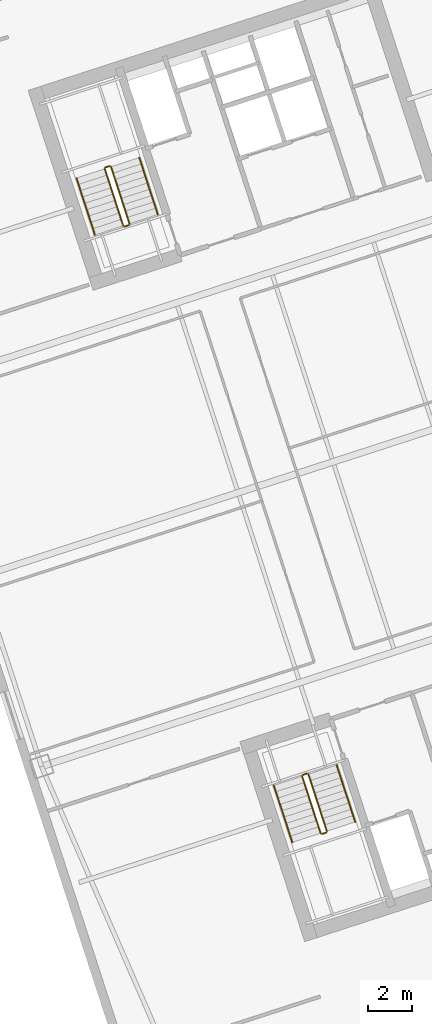
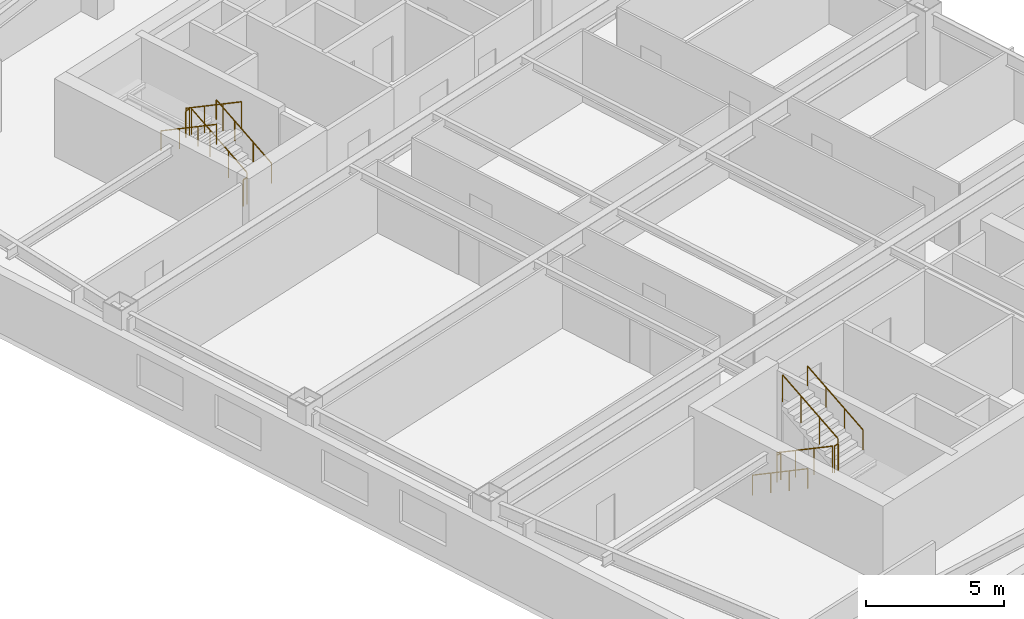
# One storey, part 10 of 10: 12 railings.
"""IFC4 building model written with IfcOpenShell, lengths in metres."""

from ifc_helpers import new_model, si_unit, direction, frame, origin, origin_2d, place, context, subcontext, project, spatial, circle, extrude, material, type_object, element, save


model = new_model("IFC4")

# Units and contexts
model_context = context("Model", 3, precision=1e-05, world=origin(), true_north=direction((0.0, 1.0)))
body_context = subcontext(model_context, "Body", "Model", "MODEL_VIEW")
ifc_project = project(units=[si_unit("LENGTHUNIT", "METRE"), si_unit("AREAUNIT", "SQUARE_METRE"), si_unit("VOLUMEUNIT", "CUBIC_METRE"), si_unit("PLANEANGLEUNIT", "RADIAN"), si_unit("MASSUNIT", "GRAM", prefix="KILO")], contexts=[model_context])

# Site, building, storey
site_placement = place(None, origin())
site = spatial("IfcSite", under=ifc_project, at=site_placement, CompositionType="ELEMENT")
building_placement = place(site_placement, origin())
building = spatial("IfcBuilding", under=site, at=building_placement, Name="Qiaolan Cultural Towers", CompositionType="ELEMENT")
storey_placement = place(building_placement, frame((0.0, 0.0, 127.64990234375)))
storey = spatial("IfcBuildingStorey", under=building, at=storey_placement, Name="L33", CompositionType="ELEMENT", Elevation=127.64990234375)

# Railings
ifc_material_1 = material(Name="Galvanized Painted Steel Stair Guardrail", Category="steel")
railing_type_1 = type_object("IfcRailingType", Name="RL-STAIR-GRD", PredefinedType="GUARDRAIL", material=ifc_material_1)
railing_1_placement = place(storey_placement, frame((88.60205078125, 19.82421875, 0.172607421875)))
element("IfcRailing", 1, at=railing_1_placement, inside=storey, type_object=railing_type_1, Name="L33 ST-E1 stair guard 1", PredefinedType="GUARDRAIL", context=body_context, shape_type="SweptSolid", body=[
    extrude(circle(Radius=0.02392578125, at=origin_2d()), frame((0.0, 0.0, 1.17578125), z_axis=(0.267925668498, -0.824471088726, 0.498460891159), x_axis=(0.951043371037, 0.309057448393, 0.0)), (0.0, 0.0, 1.0), 3.114501953125),
    extrude(circle(Radius=0.02099609375, at=origin_2d()), origin(), (0.0, 0.0, 1.0), 1.15185546875),
    extrude(circle(Radius=0.02099609375, at=origin_2d()), frame((0.278076171875, -0.85595703125, 0.517578125)), (0.0, 0.0, 1.0), 1.15185546875),
    extrude(circle(Radius=0.02099609375, at=origin_2d()), frame((0.556396484375, -1.7119140625, 1.034912109375)), (0.0, 0.0, 1.0), 1.15185546875),
    extrude(circle(Radius=0.02099609375, at=origin_2d()), frame((0.83447265625, -2.56787109375, 1.552490234375)), (0.0, 0.0, 1.0), 1.15185546875),
])
railing_2_placement = place(storey_placement, frame((89.49951171875, 17.224365234375, 1.72509765625)))
element("IfcRailing", 2, at=railing_2_placement, inside=storey, type_object=railing_type_1, Name="L33 ST-E1 stair guard 2", PredefinedType="GUARDRAIL", context=body_context, shape_type="SweptSolid", body=[
    extrude(circle(Radius=0.02392578125, at=origin_2d()), frame((0.0, 0.0, 1.17578125), z_axis=(0.951096855055, 0.308892816854, 0.0), x_axis=(-0.308892816854, 0.951096855055, 0.0)), (0.0, 0.0, 1.0), 0.199951171875),
    extrude(circle(Radius=0.02099609375, at=origin_2d()), origin(), (0.0, 0.0, 1.0), 1.15185546875),
    extrude(circle(Radius=0.02099609375, at=origin_2d()), frame((0.190185546875, 0.061767578125, 0.0)), (0.0, 0.0, 1.0), 1.15185546875),
])
railing_3_placement = place(storey_placement, frame((89.721923828125, 17.34912109375, 1.897705078125)))
element("IfcRailing", 3, at=railing_3_placement, inside=storey, type_object=railing_type_1, Name="L33 ST-E1 stair guard 3", PredefinedType="GUARDRAIL", context=body_context, shape_type="SweptSolid", body=[
    extrude(circle(Radius=0.02392578125, at=origin_2d()), frame((0.0, 0.0, 1.17578125), z_axis=(-0.267925668498, 0.824471088726, 0.498460891159), x_axis=(-0.951043371037, -0.309057448393, 0.0)), (0.0, 0.0, 1.0), 3.114501953125),
    extrude(circle(Radius=0.02099609375, at=origin_2d()), origin(), (0.0, 0.0, 1.0), 1.15185546875),
    extrude(circle(Radius=0.02099609375, at=origin_2d()), frame((-0.278076171875, 0.85595703125, 0.517578125)), (0.0, 0.0, 1.0), 1.15185546875),
    extrude(circle(Radius=0.02099609375, at=origin_2d()), frame((-0.556396484375, 1.7119140625, 1.034912109375)), (0.0, 0.0, 1.0), 1.15185546875),
    extrude(circle(Radius=0.02099609375, at=origin_2d()), frame((-0.83447265625, 2.56787109375, 1.552490234375)), (0.0, 0.0, 1.0), 1.15185546875),
])
railing_4_placement = place(storey_placement, frame((88.63427734375, 19.88720703125, 0.0)))
element("IfcRailing", 4, at=railing_4_placement, inside=storey, type_object=railing_type_1, Name="L33 ST-E1 stair guard 4", PredefinedType="GUARDRAIL", context=body_context, shape_type="SweptSolid", body=[
    extrude(circle(Radius=0.02392578125, at=origin_2d()), frame((0.0, 0.0, 1.17578125), z_axis=(0.951096855055, 0.308892816854, 0.0), x_axis=(-0.308892816854, 0.951096855055, 0.0)), (0.0, 0.0, 1.0), 0.199951171875),
    extrude(circle(Radius=0.02099609375, at=origin_2d()), origin(), (0.0, 0.0, 1.0), 1.15185546875),
    extrude(circle(Radius=0.02099609375, at=origin_2d()), frame((0.190185546875, 0.061767578125, 0.0)), (0.0, 0.0, 1.0), 1.15185546875),
])
railing_5_placement = place(storey_placement, frame((80.822021484375, 44.739501953125, 0.172607421875)))
element("IfcRailing", 5, at=railing_5_placement, inside=storey, type_object=railing_type_1, Name="L33 ST-E2 stair guard 1", PredefinedType="GUARDRAIL", context=body_context, shape_type="SweptSolid", body=[
    extrude(circle(Radius=0.02392578125, at=origin_2d()), frame((0.0, 0.0, 1.17578125), z_axis=(-0.26785290645, 0.824488402118, 0.498471358535), x_axis=(-0.951069945308, -0.308975661068, 0.0)), (0.0, 0.0, 1.0), 3.114501953125),
    extrude(circle(Radius=0.02099609375, at=origin_2d()), origin(), (0.0, 0.0, 1.0), 1.15185546875),
    extrude(circle(Radius=0.02099609375, at=origin_2d()), frame((-0.278076171875, 0.85595703125, 0.517578125)), (0.0, 0.0, 1.0), 1.15185546875),
    extrude(circle(Radius=0.02099609375, at=origin_2d()), frame((-0.55615234375, 1.7119140625, 1.034912109375)), (0.0, 0.0, 1.0), 1.15185546875),
    extrude(circle(Radius=0.02099609375, at=origin_2d()), frame((-0.834228515625, 2.56787109375, 1.552490234375)), (0.0, 0.0, 1.0), 1.15185546875),
])
railing_6_placement = place(storey_placement, frame((79.9248046875, 47.33935546875, 1.72509765625)))
element("IfcRailing", 6, at=railing_6_placement, inside=storey, type_object=railing_type_1, Name="L33 ST-E2 stair guard 2", PredefinedType="GUARDRAIL", context=body_context, shape_type="SweptSolid", body=[
    extrude(circle(Radius=0.02392578125, at=origin_2d()), frame((0.0, 0.0, 1.17578125), z_axis=(-0.951096855055, -0.308892816854, 0.0), x_axis=(0.308892816854, -0.951096855055, 0.0)), (0.0, 0.0, 1.0), 0.199951171875),
    extrude(circle(Radius=0.02099609375, at=origin_2d()), origin(), (0.0, 0.0, 1.0), 1.15185546875),
    extrude(circle(Radius=0.02099609375, at=origin_2d()), frame((-0.190185546875, -0.061767578125, 0.0)), (0.0, 0.0, 1.0), 1.15185546875),
])
railing_7_placement = place(storey_placement, frame((79.702392578125, 47.214599609375, 1.897705078125)))
element("IfcRailing", 7, at=railing_7_placement, inside=storey, type_object=railing_type_1, Name="L33 ST-E2 stair guard 3", PredefinedType="GUARDRAIL", context=body_context, shape_type="SweptSolid", body=[
    extrude(circle(Radius=0.02392578125, at=origin_2d()), frame((0.0, 0.0, 1.17578125), z_axis=(0.267925668498, -0.824471088726, 0.498460891159), x_axis=(0.951043371037, 0.309057448393, 0.0)), (0.0, 0.0, 1.0), 3.114501953125),
    extrude(circle(Radius=0.02099609375, at=origin_2d()), origin(), (0.0, 0.0, 1.0), 1.15185546875),
    extrude(circle(Radius=0.02099609375, at=origin_2d()), frame((0.278076171875, -0.85595703125, 0.517578125)), (0.0, 0.0, 1.0), 1.15185546875),
    extrude(circle(Radius=0.02099609375, at=origin_2d()), frame((0.556396484375, -1.7119140625, 1.034912109375)), (0.0, 0.0, 1.0), 1.15185546875),
    extrude(circle(Radius=0.02099609375, at=origin_2d()), frame((0.83447265625, -2.56787109375, 1.552490234375)), (0.0, 0.0, 1.0), 1.15185546875),
])
railing_8_placement = place(storey_placement, frame((80.7900390625, 44.676513671875, 0.0)))
element("IfcRailing", 8, at=railing_8_placement, inside=storey, type_object=railing_type_1, Name="L33 ST-E2 stair guard 4", PredefinedType="GUARDRAIL", context=body_context, shape_type="SweptSolid", body=[
    extrude(circle(Radius=0.02392578125, at=origin_2d()), frame((0.0, 0.0, 1.17578125), z_axis=(-0.951096855055, -0.308892816854, 0.0), x_axis=(0.308892816854, -0.951096855055, 0.0)), (0.0, 0.0, 1.0), 0.199951171875),
    extrude(circle(Radius=0.02099609375, at=origin_2d()), origin(), (0.0, 0.0, 1.0), 1.15185546875),
    extrude(circle(Radius=0.02099609375, at=origin_2d()), frame((-0.190185546875, -0.061767578125, 0.0)), (0.0, 0.0, 1.0), 1.15185546875),
])
ifc_material_2 = material(Name="Stainless Steel S30408 Tubular Handrail", Category="steel")
railing_type_2 = type_object("IfcRailingType", Name="RL-STAIR-HR", PredefinedType="HANDRAIL", material=ifc_material_2)
railing_9_placement = place(storey_placement, frame((87.32763671875, 19.41015625, 0.172607421875)))
element("IfcRailing", 9, at=railing_9_placement, inside=storey, type_object=railing_type_2, Name="L33 ST-E1 stair handrail 1", PredefinedType="HANDRAIL", context=body_context, shape_type="SweptSolid", body=[
    extrude(circle(Radius=0.02392578125, at=origin_2d()), frame((0.0, 0.0, 0.8759765625), z_axis=(0.267925668498, -0.824471088726, 0.498460891159), x_axis=(0.951043371037, 0.309057448393, 0.0)), (0.0, 0.0, 1.0), 3.114501953125),
    extrude(circle(Radius=0.02099609375, at=origin_2d()), origin(), (0.0, 0.0, 1.0), 0.851806640625),
    extrude(circle(Radius=0.02099609375, at=origin_2d()), frame((0.278076171875, -0.85595703125, 0.517578125)), (0.0, 0.0, 1.0), 0.851806640625),
    extrude(circle(Radius=0.02099609375, at=origin_2d()), frame((0.556396484375, -1.7119140625, 1.034912109375)), (0.0, 0.0, 1.0), 0.851806640625),
    extrude(circle(Radius=0.02099609375, at=origin_2d()), frame((0.83447265625, -2.56787109375, 1.552490234375)), (0.0, 0.0, 1.0), 0.851806640625),
])
railing_10_placement = place(storey_placement, frame((90.996337890625, 17.76318359375, 1.897705078125)))
element("IfcRailing", 10, at=railing_10_placement, inside=storey, type_object=railing_type_2, Name="L33 ST-E1 stair handrail 2", PredefinedType="HANDRAIL", context=body_context, shape_type="SweptSolid", body=[
    extrude(circle(Radius=0.02392578125, at=origin_2d()), frame((0.0, 0.0, 0.8759765625), z_axis=(-0.267925668498, 0.824471088726, 0.498460891159), x_axis=(-0.951043371037, -0.309057448393, 0.0)), (0.0, 0.0, 1.0), 3.114501953125),
    extrude(circle(Radius=0.02099609375, at=origin_2d()), origin(), (0.0, 0.0, 1.0), 0.851806640625),
    extrude(circle(Radius=0.02099609375, at=origin_2d()), frame((-0.278076171875, 0.85595703125, 0.517578125)), (0.0, 0.0, 1.0), 0.851806640625),
    extrude(circle(Radius=0.02099609375, at=origin_2d()), frame((-0.556396484375, 1.7119140625, 1.034912109375)), (0.0, 0.0, 1.0), 0.851806640625),
    extrude(circle(Radius=0.02099609375, at=origin_2d()), frame((-0.83447265625, 2.56787109375, 1.552490234375)), (0.0, 0.0, 1.0), 0.851806640625),
])
railing_11_placement = place(storey_placement, frame((82.096435546875, 45.153564453125, 0.172607421875)))
element("IfcRailing", 11, at=railing_11_placement, inside=storey, type_object=railing_type_2, Name="L33 ST-E2 stair handrail 1", PredefinedType="HANDRAIL", context=body_context, shape_type="SweptSolid", body=[
    extrude(circle(Radius=0.02392578125, at=origin_2d()), frame((0.0, 0.0, 0.8759765625), z_axis=(-0.26785290645, 0.824488402118, 0.498471358535), x_axis=(-0.951069945308, -0.308975661068, 0.0)), (0.0, 0.0, 1.0), 3.114501953125),
    extrude(circle(Radius=0.02099609375, at=origin_2d()), origin(), (0.0, 0.0, 1.0), 0.851806640625),
    extrude(circle(Radius=0.02099609375, at=origin_2d()), frame((-0.278076171875, 0.85595703125, 0.517578125)), (0.0, 0.0, 1.0), 0.851806640625),
    extrude(circle(Radius=0.02099609375, at=origin_2d()), frame((-0.55615234375, 1.7119140625, 1.034912109375)), (0.0, 0.0, 1.0), 0.851806640625),
    extrude(circle(Radius=0.02099609375, at=origin_2d()), frame((-0.834228515625, 2.56787109375, 1.552490234375)), (0.0, 0.0, 1.0), 0.851806640625),
])
railing_12_placement = place(storey_placement, frame((78.427978515625, 46.800537109375, 1.897705078125)))
element("IfcRailing", 12, at=railing_12_placement, inside=storey, type_object=railing_type_2, Name="L33 ST-E2 stair handrail 2", PredefinedType="HANDRAIL", context=body_context, shape_type="SweptSolid", body=[
    extrude(circle(Radius=0.02392578125, at=origin_2d()), frame((0.0, 0.0, 0.8759765625), z_axis=(0.267925668498, -0.824471088726, 0.498460891159), x_axis=(0.951043371037, 0.309057448393, 0.0)), (0.0, 0.0, 1.0), 3.114501953125),
    extrude(circle(Radius=0.02099609375, at=origin_2d()), origin(), (0.0, 0.0, 1.0), 0.851806640625),
    extrude(circle(Radius=0.02099609375, at=origin_2d()), frame((0.278076171875, -0.85595703125, 0.517578125)), (0.0, 0.0, 1.0), 0.851806640625),
    extrude(circle(Radius=0.02099609375, at=origin_2d()), frame((0.556396484375, -1.7119140625, 1.034912109375)), (0.0, 0.0, 1.0), 0.851806640625),
    extrude(circle(Radius=0.02099609375, at=origin_2d()), frame((0.83447265625, -2.56787109375, 1.552490234375)), (0.0, 0.0, 1.0), 0.851806640625),
])

save(model, "model.ifc")
